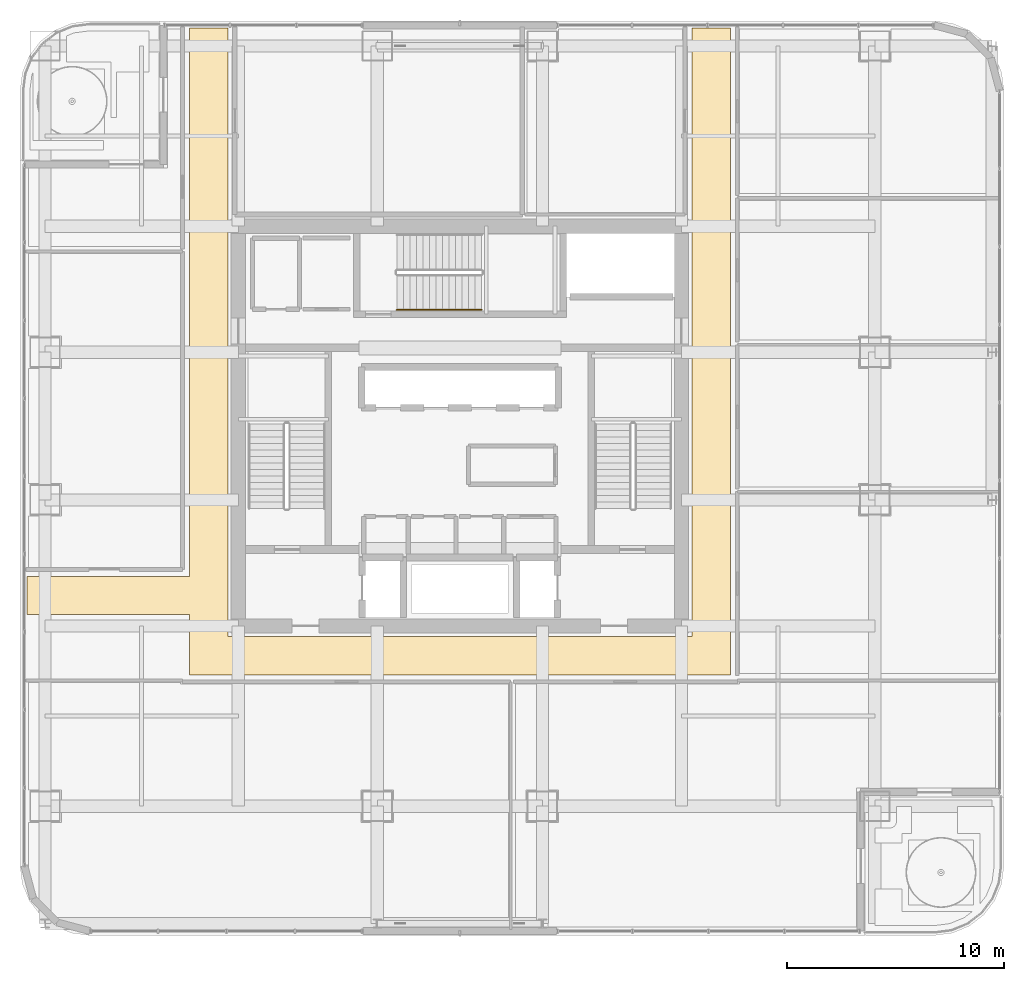
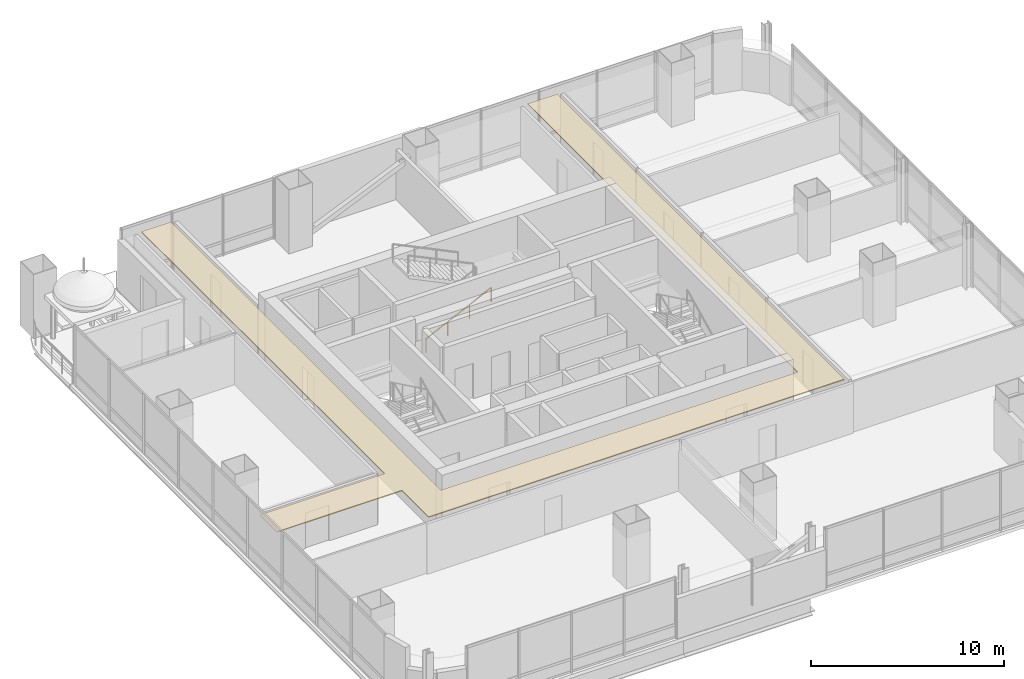
# One storey, part 37 of 41: 1 covering, 1 railing.
"""IFC4 building model written with IfcOpenShell, lengths in metres."""

from ifc_helpers import new_model, si_unit, direction, frame, origin, origin_2d, place, context, subcontext, project, spatial, polyline, circle, outline, extrude, material, layer, layer_set, type_object, element, save


model = new_model("IFC4")

# Units and contexts
model_context = context("Model", 3, precision=1e-05, world=origin(), true_north=direction((0.0, 1.0)))
body_context = subcontext(model_context, "Body", "Model", "MODEL_VIEW")
ifc_project = project(units=[si_unit("LENGTHUNIT", "METRE"), si_unit("AREAUNIT", "SQUARE_METRE"), si_unit("VOLUMEUNIT", "CUBIC_METRE"), si_unit("PLANEANGLEUNIT", "RADIAN"), si_unit("MASSUNIT", "GRAM", prefix="KILO")], contexts=[model_context])

# Site, building, storey
site_placement = place(None, origin())
site = spatial("IfcSite", under=ifc_project, at=site_placement, CompositionType="ELEMENT")
building_placement = place(site_placement, origin())
building = spatial("IfcBuilding", under=site, at=building_placement, Name="Punatoya Terracotta Tower", CompositionType="ELEMENT")
storey_placement = place(building_placement, frame((0.0, 0.0, 220.800048828125)))
storey = spatial("IfcBuildingStorey", under=building, at=storey_placement, Name="L52", CompositionType="ELEMENT", Elevation=220.800048828125)

# Covering
ifc_material_1 = material(Name="Acoustic Mineral Fibre Ceiling")
ifc_layer = layer(ifc_material_1, 0.06005859375)
ifc_layer_set = layer_set([ifc_layer], Name="Acoustic Mineral Fibre Ceiling")
covering_type = type_object("IfcCoveringType", Name="COV-CEIL-60", PredefinedType="CEILING", material=ifc_layer_set)
covering_placement = place(storey_placement, frame((0.0, 0.0, 3.219970703125)))
element("IfcCovering", 1, at=covering_placement, inside=storey, type_object=covering_type, Name="L52 Central Spine Circulation Corridor Acoustic Ceiling", PredefinedType="CEILING", context=body_context, shape_type="SweptSolid", body=[
    extrude(outline(polyline([(-10.679931640625, -9.679931640625), (-10.679931640625, 18.330078125), (-12.449951171875, 18.330078125), (-12.449951171875, -6.919921875), (-19.929931640625, -6.919921875), (-19.929931640625, -8.679931640625), (-12.449951171875, -8.679931640625), (-12.449951171875, -11.449951171875), (12.449951171875, -11.449951171875), (12.449951171875, 18.330078125), (10.679931640625, 18.330078125), (10.679931640625, -9.679931640625), (-10.679931640625, -9.679931640625)])), origin(), (0.0, 0.0, 1.0), 0.06005859375),
])

# Railing
ifc_material_2 = material(Name="Steel S355", Category="steel")
railing_type = type_object("IfcRailingType", Name="RLG-HND-900", PredefinedType="HANDRAIL", material=ifc_material_2)
railing_placement = place(storey_placement, frame((-2.89990234375, 5.35009765625, 0.14453125)))
element("IfcRailing", 2, at=railing_placement, inside=storey, type_object=railing_type, Name="L52 ST-3 stair handrail 1", PredefinedType="HANDRAIL", context=body_context, shape_type="SweptSolid", body=[
    extrude(circle(Radius=0.02392578125, at=origin_2d()), frame((0.0, 0.0, 0.8759765625), z_axis=(0.900763166376, 0.0, 0.434310623978), x_axis=(0.0, 1.0, 0.0)), (0.0, 0.0, 1.0), 4.32958984375),
    extrude(circle(Radius=0.02099609375, at=origin_2d()), origin(), (0.0, 0.0, 1.0), 0.851806640625),
    extrude(circle(Radius=0.02099609375, at=origin_2d()), frame((1.300048828125, 0.0, 0.626708984375)), (0.0, 0.0, 1.0), 0.851806640625),
    extrude(circle(Radius=0.02099609375, at=origin_2d()), frame((2.599853515625, 0.0, 1.253662109375)), (0.0, 0.0, 1.0), 0.851806640625),
    extrude(circle(Radius=0.02099609375, at=origin_2d()), frame((3.89990234375, 0.0, 1.88037109375)), (0.0, 0.0, 1.0), 0.851806640625),
])

save(model, "model.ifc")
